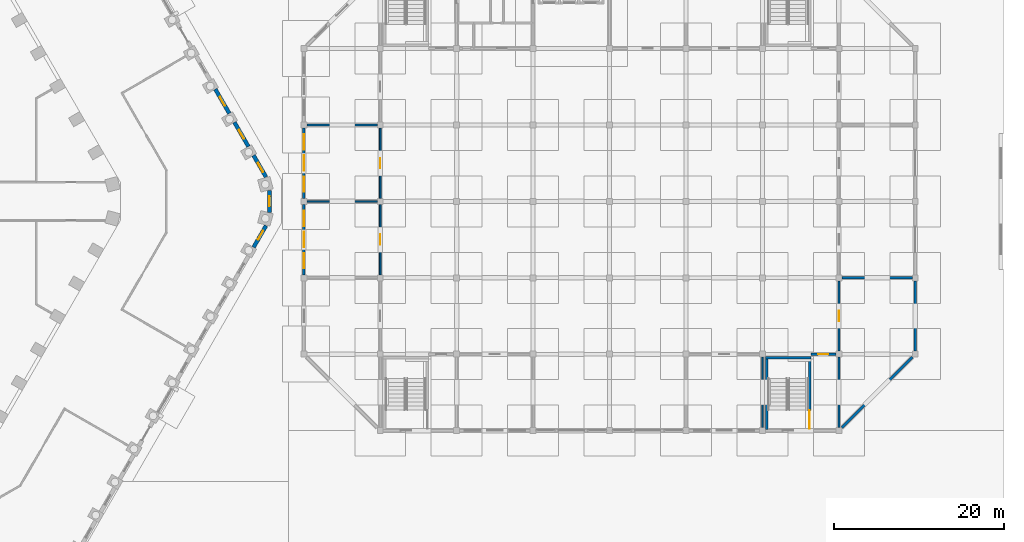
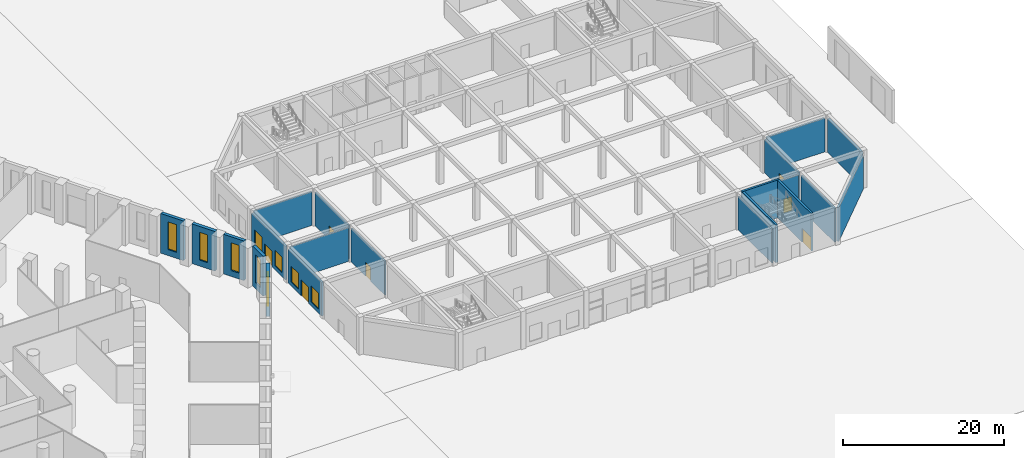
# One storey, part 25 of 44: 21 walls, 9 windows, 7 doors, 16 openings.
"""IFC4 building model written with IfcOpenShell, lengths in metres."""

import ifcopenshell
import ifcopenshell.guid

model = None  # the IFC model being written
_history = None  # IfcOwnerHistory: only IFC2X3 demands one
_inside = {}  # id of a spatial element -> (the spatial element, [elements in it])
_under = {}  # id of a project, library or spatial element -> (it, [spatial elements below it])
_declared = {}  # id of a project -> (the project, [libraries it declares])
_typed = {}  # id of a type object -> (the type object, [elements of that type])
_made_of = {}  # id of a material, layer set ... -> (it, [elements and type objects made of it])


def new_model(schema):
    """Start an empty IFC model of exactly this schema.

    Asked for "IFC4X3", IfcOpenShell would pick the latest addendum, in which some entities
    have other attributes; the version numbers below select the first issue.
    IFC2X3 requires an IfcOwnerHistory on every rooted entity: one is made here for all.
    """
    global model, _history
    if schema == "IFC4X3":
        model = ifcopenshell.file(schema_version=(4, 3, 0, 0))
    else:
        model = ifcopenshell.file(schema=schema)
    _inside.clear()
    _under.clear()
    _declared.clear()
    _typed.clear()
    _made_of.clear()
    _history = None
    if model.schema == "IFC2X3":
        org = make("IfcOrganization", Name="unknown")
        user = make(
            "IfcPersonAndOrganization",
            ThePerson=make("IfcPerson", FamilyName="unknown"),
            TheOrganization=org,
        )
        app = make(
            "IfcApplication",
            ApplicationDeveloper=org,
            Version="unknown",
            ApplicationFullName="unknown",
            ApplicationIdentifier="unknown",
        )
        _history = make(
            "IfcOwnerHistory",
            OwningUser=user,
            OwningApplication=app,
            ChangeAction="ADDED",
            CreationDate=0,
        )
    return model


def make(cls, **values):
    """One entity of the class cls with the attributes given. An attribute that is None is left unset."""
    return model.create_entity(
        cls, **{name: value for name, value in values.items() if value is not None}
    )


def rooted(cls, **values):
    """An entity with a GlobalId (a new one), such as an element, a storey or a relation."""
    return make(cls, GlobalId=ifcopenshell.guid.new(), OwnerHistory=_history, **values)


def si_unit(unit_type, name, prefix=None):
    """IfcSIUnit, for example si_unit("LENGTHUNIT", "METRE", prefix="MILLI")."""
    return make("IfcSIUnit", UnitType=unit_type, Prefix=prefix, Name=name)


def assignment(units):
    """IfcUnitAssignment: the units of a project."""
    return None if units is None else make("IfcUnitAssignment", Units=units)


def point(xyz):
    """IfcCartesianPoint."""
    return None if xyz is None else make("IfcCartesianPoint", Coordinates=xyz)


def direction(xyz):
    """IfcDirection."""
    return None if xyz is None else make("IfcDirection", DirectionRatios=xyz)


def frame(location, z_axis=None, x_axis=None):
    """IfcAxis2Placement3D, a coordinate frame: its origin and axes. An axis left out is left unset."""
    return make(
        "IfcAxis2Placement3D",
        Location=point(location),
        Axis=direction(z_axis),
        RefDirection=direction(x_axis),
    )


def frame_2d(location, x_axis=None):
    """IfcAxis2Placement2D, a coordinate frame in the plane: its origin and x axis."""
    return make(
        "IfcAxis2Placement2D", Location=point(location), RefDirection=direction(x_axis)
    )


def origin():
    """The frame at (0, 0, 0) with its axes left unset."""
    return frame((0.0, 0.0, 0.0))


def place(relative_to, where):
    """IfcLocalPlacement: puts the frame where relative to a parent placement (None: the world)."""
    return make(
        "IfcLocalPlacement", PlacementRelTo=relative_to, RelativePlacement=where
    )


def context(
    kind, dimensions, precision=None, world=None, true_north=None, identifier=None
):
    """IfcGeometricRepresentationContext, for example the 3D "Model" context."""
    return make(
        "IfcGeometricRepresentationContext",
        ContextIdentifier=identifier,
        ContextType=kind,
        CoordinateSpaceDimension=dimensions,
        Precision=precision,
        WorldCoordinateSystem=world,
        TrueNorth=true_north,
    )


def subcontext(parent, identifier, kind, view, scale=None):
    """IfcGeometricRepresentationSubContext, for example "Body" below "Model"."""
    return make(
        "IfcGeometricRepresentationSubContext",
        ContextIdentifier=identifier,
        ContextType=kind,
        ParentContext=parent,
        TargetScale=scale,
        TargetView=view,
    )


def project(units=None, contexts=None):
    """IfcProject with its units and contexts."""
    return rooted(
        "IfcProject",
        Name="project",
        RepresentationContexts=contexts,
        UnitsInContext=assignment(units),
    )


def spatial(cls, under=None, at=None, **own):
    """A site, building, storey or space (cls), placed at a placement, below another one or the project."""
    s = rooted(cls, ObjectPlacement=at, **own)
    if under is not None:
        _under.setdefault(under.id(), (under, []))[1].append(s)
    return s


def profile(cls, at=None, kind="AREA", **sizes):
    """A parametric profile (cls). Its sizes go by their IFC names, for example OverallWidth=200.0."""
    return make(cls, ProfileType=kind, Position=at, **sizes)


def rectangle(**sizes):
    """IfcRectangleProfileDef."""
    return profile("IfcRectangleProfileDef", **sizes)


def extrude(swept, where, along, depth):
    """IfcExtrudedAreaSolid: the profile swept, set in the frame where, extruded along a direction by depth."""
    return make(
        "IfcExtrudedAreaSolid",
        SweptArea=swept,
        Position=where,
        ExtrudedDirection=direction(along),
        Depth=depth,
    )


def shape(context_of_items, identifier, shape_type, items):
    """IfcShapeRepresentation: the items that make up one representation, for example the "Body"."""
    return make(
        "IfcShapeRepresentation",
        ContextOfItems=context_of_items,
        RepresentationIdentifier=identifier,
        RepresentationType=shape_type,
        Items=items,
    )


def material(Name=None, Category=None):
    """IfcMaterial."""
    return make("IfcMaterial", Name=Name, Category=Category)


def layer(
    of_material, thickness, ventilated=None, Name=None, Category=None, Priority=None
):
    """IfcMaterialLayer: one layer of a wall or slab, of a material (None: an air gap)."""
    return make(
        "IfcMaterialLayer",
        Material=of_material,
        LayerThickness=thickness,
        IsVentilated=ventilated,
        Name=Name,
        Category=Category,
        Priority=Priority,
    )


def layer_set(layers, Name=None):
    """IfcMaterialLayerSet."""
    return make("IfcMaterialLayerSet", MaterialLayers=layers, LayerSetName=Name)


def made_of(thing, what):
    """Note that an element or type object is made of a material, layer set ...; save() writes the relation."""
    if what is not None:
        _made_of.setdefault(what.id(), (what, []))[1].append(thing)
    return thing


def type_object(cls, material=None, **own):
    """A type object (cls), such as IfcWallType, which elements share."""
    return made_of(rooted(cls, **own), material)


def element(
    cls,
    number,
    at=None,
    inside=None,
    cuts=None,
    type_object=None,
    material=None,
    context=None,
    identifier="Body",
    shape_type=None,
    held_by="IfcProductDefinitionShape",
    body=None,
    shapes=None,
    **own,
):
    """One element of the class cls, such as IfcWall. Its Tag is "e" and its number.

    at: its placement. inside: the storey or other place that contains it. cuts: it is an
    opening in that element (IfcRelVoidsElement). A single representation is given by context,
    identifier, shape_type and body (its items); several are given by shapes. held_by: the class
    of the entity that holds the representations. save() writes the other relations.
    """
    e = rooted(cls, Tag="e%d" % number, ObjectPlacement=at, **own)
    if body is not None:
        shapes = [shape(context, identifier, shape_type, body)]
    if shapes is not None:
        e.Representation = make(held_by, Representations=shapes)
    if inside is not None:
        _inside.setdefault(inside.id(), (inside, []))[1].append(e)
    if cuts is not None:
        rooted(
            "IfcRelVoidsElement", RelatingBuildingElement=cuts, RelatedOpeningElement=e
        )
    if type_object is not None:
        _typed.setdefault(type_object.id(), (type_object, []))[1].append(e)
    return made_of(e, material)


def fill(opening, filler):
    """IfcRelFillsElement: the door or window that sits in an opening."""
    return rooted(
        "IfcRelFillsElement",
        RelatingOpeningElement=opening,
        RelatedBuildingElement=filler,
    )


def aggregate(whole, parts):
    """IfcRelAggregates: a whole, such as a stair, and the parts it consists of."""
    return rooted("IfcRelAggregates", RelatingObject=whole, RelatedObjects=parts)


def save(model, path):
    """Write the relations noted so far, then the file.

    IfcRelAggregates (storeys below a building ...), IfcRelContainedInSpatialStructure (elements
    in a storey), IfcRelDefinesByType, IfcRelAssociatesMaterial and IfcRelDeclares: one each for
    every whole, place, type object, material and project.
    """
    for whole, parts in _under.values():
        aggregate(whole, parts)
    for where, things in _inside.values():
        rooted(
            "IfcRelContainedInSpatialStructure",
            RelatedElements=things,
            RelatingStructure=where,
        )
    for kind, things in _typed.values():
        rooted("IfcRelDefinesByType", RelatedObjects=things, RelatingType=kind)
    for what, things in _made_of.values():
        rooted("IfcRelAssociatesMaterial", RelatedObjects=things, RelatingMaterial=what)
    for by, libraries in _declared.values():
        rooted("IfcRelDeclares", RelatingContext=by, RelatedDefinitions=libraries)
    model.write(path)


model = new_model("IFC4")

# Units and contexts
model_context = context("Model", 3, precision=1e-05, world=origin(), true_north=direction((0.0, 1.0)))
body_context = subcontext(model_context, "Body", "Model", "MODEL_VIEW")
ifc_project = project(units=[si_unit("LENGTHUNIT", "METRE"), si_unit("AREAUNIT", "SQUARE_METRE"), si_unit("VOLUMEUNIT", "CUBIC_METRE"), si_unit("PLANEANGLEUNIT", "RADIAN"), si_unit("MASSUNIT", "GRAM", prefix="KILO")], contexts=[model_context])

# Site, building, storey
site_placement = place(None, origin())
site = spatial("IfcSite", under=ifc_project, at=site_placement, CompositionType="ELEMENT")
building_placement = place(site_placement, origin())
building = spatial("IfcBuilding", under=site, at=building_placement, Name="Dhurran Vertical Campus", CompositionType="ELEMENT")
storey_placement = place(building_placement, origin())
storey = spatial("IfcBuildingStorey", under=building, at=storey_placement, Name="L00", CompositionType="ELEMENT", Elevation=0.0)

# Wall, opening, window
ifc_material_1 = material(Name="Precast concrete C50/60", Category="concrete")
ifc_layer_1 = layer(ifc_material_1, 0.449951171875)
ifc_layer_set_1 = layer_set([ifc_layer_1], Name="Precast concrete C50/60")
wall_type_1 = type_object("IfcWallType", Name="Precast base wall 450", PredefinedType="SOLIDWALL", material=ifc_layer_set_1)
wall_1_placement = place(storey_placement, frame((55.579345703125, -5.41455078125, 0.0), z_axis=(0.0, 0.0, 1.0), x_axis=(0.500030648271, 0.866007708274, 0.0)))
wall_1 = element("IfcWall", 1, at=wall_1_placement, inside=storey, type_object=wall_type_1, Name="EW2 L00.24", PredefinedType="SOLIDWALL", context=body_context, shape_type="SweptSolid", body=[
    extrude(rectangle(XDim=2.948486328125, YDim=0.449951171875, at=frame_2d((1.47412109375, 0.0))), origin(), (0.0, 0.0, 1.0), 6.0),
])
opening_1_placement = place(wall_1_placement, frame((1.049560546875, 0.0, 0.89990234375)))
opening_1 = element("IfcOpeningElement", 2, at=opening_1_placement, cuts=wall_1, Name="Opening WT5", PredefinedType="OPENING", context=body_context, shape_type="SweptSolid", body=[
    extrude(rectangle(XDim=1.199951171875, YDim=4.199951171875, at=frame_2d((0.60009765625, 2.10009765625))), frame((0.0, 0.23486328125, 0.0), z_axis=(0.0, -1.0, 0.0), x_axis=(1.0, 0.0, 0.0)), (0.0, 0.0, 1.0), 0.469970703125),
])
ifc_material_2 = material(Name="Aluminium frame with solar-control glass", Category="aluminium")
window_type_1 = type_object("IfcWindowType", Name="Ring slot window 1200 x 4200", PartitioningType="SINGLE_PANEL", PredefinedType="WINDOW", material=ifc_material_2)
window_1_placement = place(opening_1_placement, origin())
window_1 = element("IfcWindow", 3, at=window_1_placement, inside=storey, type_object=window_type_1, Name="WT5 L00.24", OverallHeight=4.199951171875, OverallWidth=1.199951171875, PartitioningType="SINGLE_PANEL", PredefinedType="WINDOW", context=body_context, shape_type="SweptSolid", body=[
    extrude(rectangle(XDim=1.199951171875, YDim=4.199951171875, at=frame_2d((0.60009765625, 2.10009765625))), frame((0.0, 0.030029296875, 0.0), z_axis=(0.0, -1.0, 0.0), x_axis=(1.0, 0.0, 0.0)), (0.0, 0.0, 1.0), 0.06005859375),
])
fill(opening_1, window_1)

wall_2_placement = place(storey_placement, frame((57.47216796875, -1.299072265625, 0.0), z_axis=(0.0, 0.0, 1.0), x_axis=(0.0, 1.0, 0.0)))
wall_2 = element("IfcWall", 4, at=wall_2_placement, inside=storey, type_object=wall_type_1, Name="EW2 L00.25", PredefinedType="SOLIDWALL", context=body_context, shape_type="SweptSolid", body=[
    extrude(rectangle(XDim=2.59814453125, YDim=0.449951171875, at=frame_2d((1.299072265625, 0.0))), origin(), (0.0, 0.0, 1.0), 6.0),
])
opening_2_placement = place(wall_2_placement, frame((0.69921875, 0.0, 0.89990234375)))
opening_2 = element("IfcOpeningElement", 5, at=opening_2_placement, cuts=wall_2, Name="Opening WT5", PredefinedType="OPENING", context=body_context, shape_type="SweptSolid", body=[
    extrude(rectangle(XDim=1.199951171875, YDim=4.199951171875, at=frame_2d((0.60009765625, 2.10009765625))), frame((0.0, 0.23486328125, 0.0), z_axis=(0.0, -1.0, 0.0), x_axis=(1.0, 0.0, 0.0)), (0.0, 0.0, 1.0), 0.469970703125),
])
window_2_placement = place(opening_2_placement, origin())
window_2 = element("IfcWindow", 6, at=window_2_placement, inside=storey, type_object=window_type_1, Name="WT5 L00.25", OverallHeight=4.199951171875, OverallWidth=1.199951171875, PartitioningType="SINGLE_PANEL", PredefinedType="WINDOW", context=body_context, shape_type="SweptSolid", body=[
    extrude(rectangle(XDim=1.199951171875, YDim=4.199951171875, at=frame_2d((0.60009765625, 2.10009765625))), frame((0.0, 0.030029296875, 0.0), z_axis=(0.0, -1.0, 0.0), x_axis=(1.0, 0.0, 0.0)), (0.0, 0.0, 1.0), 0.06005859375),
])
fill(opening_2, window_2)

wall_3_placement = place(storey_placement, frame((57.0537109375, 2.861083984375, 0.0), z_axis=(0.0, 0.0, 1.0), x_axis=(-0.500030648271, 0.866007708274, 0.0)))
wall_3 = element("IfcWall", 7, at=wall_3_placement, inside=storey, type_object=wall_type_1, Name="EW2 L00.26", PredefinedType="SOLIDWALL", context=body_context, shape_type="SweptSolid", body=[
    extrude(rectangle(XDim=2.948486328125, YDim=0.449951171875, at=frame_2d((1.47412109375, 0.0))), origin(), (0.0, 0.0, 1.0), 6.0),
])
opening_3_placement = place(wall_3_placement, frame((0.69921875, 0.0, 0.89990234375)))
opening_3 = element("IfcOpeningElement", 8, at=opening_3_placement, cuts=wall_3, Name="Opening WT5", PredefinedType="OPENING", context=body_context, shape_type="SweptSolid", body=[
    extrude(rectangle(XDim=1.199951171875, YDim=4.199951171875, at=frame_2d((0.60009765625, 2.10009765625))), frame((0.0, 0.23486328125, 0.0), z_axis=(0.0, -1.0, 0.0), x_axis=(1.0, 0.0, 0.0)), (0.0, 0.0, 1.0), 0.469970703125),
])
window_3_placement = place(opening_3_placement, origin())
window_3 = element("IfcWindow", 9, at=window_3_placement, inside=storey, type_object=window_type_1, Name="WT5 L00.26", OverallHeight=4.199951171875, OverallWidth=1.199951171875, PartitioningType="SINGLE_PANEL", PredefinedType="WINDOW", context=body_context, shape_type="SweptSolid", body=[
    extrude(rectangle(XDim=1.199951171875, YDim=4.199951171875, at=frame_2d((0.60009765625, 2.10009765625))), frame((0.0, 0.030029296875, 0.0), z_axis=(0.0, -1.0, 0.0), x_axis=(1.0, 0.0, 0.0)), (0.0, 0.0, 1.0), 0.06005859375),
])
fill(opening_3, window_3)

wall_4_placement = place(storey_placement, frame((54.978759765625, 6.45458984375, 0.0), z_axis=(0.0, 0.0, 1.0), x_axis=(-0.49995947208, 0.866048801325, 0.0)))
wall_4 = element("IfcWall", 10, at=wall_4_placement, inside=storey, type_object=wall_type_1, Name="EW2 L00.27", PredefinedType="SOLIDWALL", context=body_context, shape_type="SweptSolid", body=[
    extrude(rectangle(XDim=3.299072265625, YDim=0.449951171875, at=frame_2d((1.6494140625, 0.0))), origin(), (0.0, 0.0, 1.0), 6.0),
])
opening_4_placement = place(wall_4_placement, frame((1.049560546875, 0.0, 0.89990234375)))
opening_4 = element("IfcOpeningElement", 11, at=opening_4_placement, cuts=wall_4, Name="Opening WT5", PredefinedType="OPENING", context=body_context, shape_type="SweptSolid", body=[
    extrude(rectangle(XDim=1.199951171875, YDim=4.199951171875, at=frame_2d((0.60009765625, 2.10009765625))), frame((0.0, 0.23486328125, 0.0), z_axis=(0.0, -1.0, 0.0), x_axis=(1.0, 0.0, 0.0)), (0.0, 0.0, 1.0), 0.469970703125),
])
window_4_placement = place(opening_4_placement, origin())
window_4 = element("IfcWindow", 12, at=window_4_placement, inside=storey, type_object=window_type_1, Name="WT5 L00.27", OverallHeight=4.199951171875, OverallWidth=1.199951171875, PartitioningType="SINGLE_PANEL", PredefinedType="WINDOW", context=body_context, shape_type="SweptSolid", body=[
    extrude(rectangle(XDim=1.199951171875, YDim=4.199951171875, at=frame_2d((0.60009765625, 2.10009765625))), frame((0.0, 0.030029296875, 0.0), z_axis=(0.0, -1.0, 0.0), x_axis=(1.0, 0.0, 0.0)), (0.0, 0.0, 1.0), 0.06005859375),
])
fill(opening_4, window_4)

wall_5_placement = place(storey_placement, frame((52.728759765625, 10.351806640625, 0.0), z_axis=(0.0, 0.0, 1.0), x_axis=(-0.499991515992, 0.866030301974, 0.0)))
wall_5 = element("IfcWall", 13, at=wall_5_placement, inside=storey, type_object=wall_type_1, Name="EW2 L00.28", PredefinedType="SOLIDWALL", context=body_context, shape_type="SweptSolid", body=[
    extrude(rectangle(XDim=3.298828125, YDim=0.449951171875, at=frame_2d((1.6494140625, 0.0))), origin(), (0.0, 0.0, 1.0), 6.0),
])
opening_5_placement = place(wall_5_placement, frame((1.049560546875, 0.0, 0.89990234375)))
opening_5 = element("IfcOpeningElement", 14, at=opening_5_placement, cuts=wall_5, Name="Opening WT5", PredefinedType="OPENING", context=body_context, shape_type="SweptSolid", body=[
    extrude(rectangle(XDim=1.199951171875, YDim=4.199951171875, at=frame_2d((0.60009765625, 2.10009765625))), frame((0.0, 0.23486328125, 0.0), z_axis=(0.0, -1.0, 0.0), x_axis=(1.0, 0.0, 0.0)), (0.0, 0.0, 1.0), 0.469970703125),
])
window_5_placement = place(opening_5_placement, origin())
window_5 = element("IfcWindow", 15, at=window_5_placement, inside=storey, type_object=window_type_1, Name="WT5 L00.28", OverallHeight=4.199951171875, OverallWidth=1.199951171875, PartitioningType="SINGLE_PANEL", PredefinedType="WINDOW", context=body_context, shape_type="SweptSolid", body=[
    extrude(rectangle(XDim=1.199951171875, YDim=4.199951171875, at=frame_2d((0.60009765625, 2.10009765625))), frame((0.0, 0.030029296875, 0.0), z_axis=(0.0, -1.0, 0.0), x_axis=(1.0, 0.0, 0.0)), (0.0, 0.0, 1.0), 0.06005859375),
])
fill(opening_5, window_5)

# Walls
ifc_material_3 = material(Name="Precast concrete C40/50", Category="concrete")
ifc_layer_2 = layer(ifc_material_3, 0.300048828125)
ifc_layer_set_2 = layer_set([ifc_layer_2], Name="Precast concrete C40/50")
wall_type_2 = type_object("IfcWallType", Name="hl-external wall precast 300", PredefinedType="SOLIDWALL", material=ifc_layer_set_2)
wall_6_placement = place(storey_placement, frame((124.85009765625, -26.64990234375, 0.0), z_axis=(0.0, 0.0, 1.0), x_axis=(0.707106781187, 0.707106781187, 0.0)))
element("IfcWall", 16, at=wall_6_placement, inside=storey, type_object=wall_type_2, Name="Hall external wall L00-016", PredefinedType="SOLIDWALL", context=body_context, shape_type="SweptSolid", body=[
    extrude(rectangle(XDim=11.73779296875, YDim=0.300048828125, at=frame_2d((5.868896484375, 0.0))), origin(), (0.0, 0.0, 1.0), 5.10009765625),
])
wall_7_placement = place(storey_placement, frame((133.5, -17.64990234375, 0.0), z_axis=(0.0, 0.0, 1.0), x_axis=(0.0, 1.0, 0.0)))
element("IfcWall", 17, at=wall_7_placement, inside=storey, type_object=wall_type_2, Name="Hall external wall L00-018", PredefinedType="SOLIDWALL", context=body_context, shape_type="SweptSolid", body=[
    extrude(rectangle(XDim=8.2998046875, YDim=0.300048828125, at=frame_2d((4.14990234375, 0.0))), origin(), (0.0, 0.0, 1.0), 5.10009765625),
])

# Wall, openings, door, windows
wall_8_placement = place(storey_placement, frame((61.5, 8.64990234375, 0.0), z_axis=(0.0, 0.0, 1.0), x_axis=(0.0, -1.0, 0.0)))
wall_8 = element("IfcWall", 18, at=wall_8_placement, inside=storey, type_object=wall_type_2, Name="Hall external wall L00-044", PredefinedType="SOLIDWALL", context=body_context, shape_type="SweptSolid", body=[
    extrude(rectangle(XDim=8.2998046875, YDim=0.300048828125, at=frame_2d((4.14990234375, 0.0))), origin(), (0.0, 0.0, 1.0), 5.10009765625),
])
opening_6_placement = place(wall_8_placement, frame((0.760009765625, 0.0, 0.60009765625)))
opening_6 = element("IfcOpeningElement", 19, at=opening_6_placement, cuts=wall_8, Name="Opening HWN2", PredefinedType="OPENING", context=body_context, shape_type="SweptSolid", body=[
    extrude(rectangle(XDim=1.800048828125, YDim=2.39990234375, at=frame_2d((0.89990234375, 1.199951171875))), frame((0.0, 0.159912109375, 0.0), z_axis=(0.0, -1.0, 0.0), x_axis=(1.0, 0.0, 0.0)), (0.0, 0.0, 1.0), 0.320068359375),
])
opening_7_placement = place(wall_8_placement, frame((3.25, 0.0, 0.0)))
opening_7 = element("IfcOpeningElement", 20, at=opening_7_placement, cuts=wall_8, Name="Opening HDE14", PredefinedType="OPENING", context=body_context, shape_type="SweptSolid", body=[
    extrude(rectangle(XDim=1.800048828125, YDim=2.39990234375, at=frame_2d((0.89990234375, 1.199951171875))), frame((0.0, 0.159912109375, 0.0), z_axis=(0.0, -1.0, 0.0), x_axis=(1.0, 0.0, 0.0)), (0.0, 0.0, 1.0), 0.320068359375),
])
opening_8_placement = place(wall_8_placement, frame((5.739990234375, 0.0, 0.60009765625)))
opening_8 = element("IfcOpeningElement", 21, at=opening_8_placement, cuts=wall_8, Name="Opening HWN2", PredefinedType="OPENING", context=body_context, shape_type="SweptSolid", body=[
    extrude(rectangle(XDim=1.800048828125, YDim=2.39990234375, at=frame_2d((0.89990234375, 1.199951171875))), frame((0.0, 0.159912109375, 0.0), z_axis=(0.0, -1.0, 0.0), x_axis=(1.0, 0.0, 0.0)), (0.0, 0.0, 1.0), 0.320068359375),
])
ifc_material_4 = material(Name="Aluminium", Category="aluminium")
door_type_1 = type_object("IfcDoorType", Name="hl-shop door double 1800x2400", OperationType="NOTDEFINED", PredefinedType="DOOR", material=ifc_material_4)
door_1_placement = place(opening_7_placement, origin())
door_1 = element("IfcDoor", 22, at=door_1_placement, inside=storey, type_object=door_type_1, Name="Door HDE14", OperationType="DOUBLE_DOOR_SINGLE_SWING", OverallHeight=2.39990234375, OverallWidth=1.800048828125, PredefinedType="DOOR", context=body_context, shape_type="SweptSolid", body=[
    extrude(rectangle(XDim=1.800048828125, YDim=2.39990234375, at=frame_2d((0.89990234375, 1.199951171875))), frame((0.0, 0.02490234375, 0.0), z_axis=(0.0, -1.0, 0.0), x_axis=(1.0, 0.0, 0.0)), (0.0, 0.0, 1.0), 0.050048828125),
])
fill(opening_7, door_1)
ifc_material_5 = material(Name="Aluminium", Category="aluminium")
window_type_2 = type_object("IfcWindowType", Name="hl-shop window 1800x2400", PartitioningType="SINGLE_PANEL", PredefinedType="WINDOW", material=ifc_material_5)
window_6_placement = place(opening_6_placement, origin())
window_6 = element("IfcWindow", 23, at=window_6_placement, inside=storey, type_object=window_type_2, Name="Hall window L00-009", OverallHeight=2.39990234375, OverallWidth=1.800048828125, PartitioningType="SINGLE_PANEL", PredefinedType="WINDOW", context=body_context, shape_type="SweptSolid", body=[
    extrude(rectangle(XDim=1.800048828125, YDim=2.39990234375, at=frame_2d((0.89990234375, 1.199951171875))), frame((0.0, 0.030029296875, 0.0), z_axis=(0.0, -1.0, 0.0), x_axis=(1.0, 0.0, 0.0)), (0.0, 0.0, 1.0), 0.06005859375),
])
fill(opening_6, window_6)
window_7_placement = place(opening_8_placement, origin())
window_7 = element("IfcWindow", 24, at=window_7_placement, inside=storey, type_object=window_type_2, Name="Hall window L00-010", OverallHeight=2.39990234375, OverallWidth=1.800048828125, PartitioningType="SINGLE_PANEL", PredefinedType="WINDOW", context=body_context, shape_type="SweptSolid", body=[
    extrude(rectangle(XDim=1.800048828125, YDim=2.39990234375, at=frame_2d((0.89990234375, 1.199951171875))), frame((0.0, 0.030029296875, 0.0), z_axis=(0.0, -1.0, 0.0), x_axis=(1.0, 0.0, 0.0)), (0.0, 0.0, 1.0), 0.06005859375),
])
fill(opening_8, window_7)

wall_9_placement = place(storey_placement, frame((61.5, -0.35009765625, 0.0), z_axis=(0.0, 0.0, 1.0), x_axis=(0.0, -1.0, 0.0)))
wall_9 = element("IfcWall", 25, at=wall_9_placement, inside=storey, type_object=wall_type_2, Name="Hall external wall L00-046", PredefinedType="SOLIDWALL", context=body_context, shape_type="SweptSolid", body=[
    extrude(rectangle(XDim=8.2998046875, YDim=0.300048828125, at=frame_2d((4.14990234375, 0.0))), origin(), (0.0, 0.0, 1.0), 5.10009765625),
])
opening_9_placement = place(wall_9_placement, frame((0.760009765625, 0.0, 0.60009765625)))
opening_9 = element("IfcOpeningElement", 26, at=opening_9_placement, cuts=wall_9, Name="Opening HWN2", PredefinedType="OPENING", context=body_context, shape_type="SweptSolid", body=[
    extrude(rectangle(XDim=1.800048828125, YDim=2.39990234375, at=frame_2d((0.89990234375, 1.199951171875))), frame((0.0, 0.159912109375, 0.0), z_axis=(0.0, -1.0, 0.0), x_axis=(1.0, 0.0, 0.0)), (0.0, 0.0, 1.0), 0.320068359375),
])
opening_10_placement = place(wall_9_placement, frame((3.25, 0.0, 0.0)))
opening_10 = element("IfcOpeningElement", 27, at=opening_10_placement, cuts=wall_9, Name="Opening HDE15", PredefinedType="OPENING", context=body_context, shape_type="SweptSolid", body=[
    extrude(rectangle(XDim=1.800048828125, YDim=2.39990234375, at=frame_2d((0.89990234375, 1.199951171875))), frame((0.0, 0.159912109375, 0.0), z_axis=(0.0, -1.0, 0.0), x_axis=(1.0, 0.0, 0.0)), (0.0, 0.0, 1.0), 0.320068359375),
])
opening_11_placement = place(wall_9_placement, frame((5.739990234375, 0.0, 0.60009765625)))
opening_11 = element("IfcOpeningElement", 28, at=opening_11_placement, cuts=wall_9, Name="Opening HWN2", PredefinedType="OPENING", context=body_context, shape_type="SweptSolid", body=[
    extrude(rectangle(XDim=1.800048828125, YDim=2.39990234375, at=frame_2d((0.89990234375, 1.199951171875))), frame((0.0, 0.159912109375, 0.0), z_axis=(0.0, -1.0, 0.0), x_axis=(1.0, 0.0, 0.0)), (0.0, 0.0, 1.0), 0.320068359375),
])
door_2_placement = place(opening_10_placement, origin())
door_2 = element("IfcDoor", 29, at=door_2_placement, inside=storey, type_object=door_type_1, Name="Door HDE15", OperationType="DOUBLE_DOOR_SINGLE_SWING", OverallHeight=2.39990234375, OverallWidth=1.800048828125, PredefinedType="DOOR", context=body_context, shape_type="SweptSolid", body=[
    extrude(rectangle(XDim=1.800048828125, YDim=2.39990234375, at=frame_2d((0.89990234375, 1.199951171875))), frame((0.0, 0.02490234375, 0.0), z_axis=(0.0, -1.0, 0.0), x_axis=(1.0, 0.0, 0.0)), (0.0, 0.0, 1.0), 0.050048828125),
])
fill(opening_10, door_2)
window_8_placement = place(opening_9_placement, origin())
window_8 = element("IfcWindow", 30, at=window_8_placement, inside=storey, type_object=window_type_2, Name="Hall window L00-011", OverallHeight=2.39990234375, OverallWidth=1.800048828125, PartitioningType="SINGLE_PANEL", PredefinedType="WINDOW", context=body_context, shape_type="SweptSolid", body=[
    extrude(rectangle(XDim=1.800048828125, YDim=2.39990234375, at=frame_2d((0.89990234375, 1.199951171875))), frame((0.0, 0.030029296875, 0.0), z_axis=(0.0, -1.0, 0.0), x_axis=(1.0, 0.0, 0.0)), (0.0, 0.0, 1.0), 0.06005859375),
])
fill(opening_9, window_8)
window_9_placement = place(opening_11_placement, origin())
window_9 = element("IfcWindow", 31, at=window_9_placement, inside=storey, type_object=window_type_2, Name="Hall window L00-012", OverallHeight=2.39990234375, OverallWidth=1.800048828125, PartitioningType="SINGLE_PANEL", PredefinedType="WINDOW", context=body_context, shape_type="SweptSolid", body=[
    extrude(rectangle(XDim=1.800048828125, YDim=2.39990234375, at=frame_2d((0.89990234375, 1.199951171875))), frame((0.0, 0.030029296875, 0.0), z_axis=(0.0, -1.0, 0.0), x_axis=(1.0, 0.0, 0.0)), (0.0, 0.0, 1.0), 0.06005859375),
])
fill(opening_11, window_9)

# Walls
ifc_material_6 = material(Name="Masonry blockwork", Category="masonry")
ifc_layer_3 = layer(ifc_material_6, 0.199951171875)
ifc_layer_set_3 = layer_set([ifc_layer_3], Name="Masonry blockwork")
wall_type_3 = type_object("IfcWallType", Name="hl-partition blockwork 200 EI 60", PredefinedType="PARTITIONING", material=ifc_layer_set_3)
for number, where, z_axis, x_axis, name in (
    (32, (61.85009765625, 0.0, 0.0), (0.0, 0.0, 1.0), (1.0, 0.0, 0.0), "Hall partition L00-002"),
    (33, (61.85009765625, 9.0, 0.0), (0.0, 0.0, 1.0), (1.0, 0.0, 0.0), "Hall partition L00-003"),
):
    element("IfcWall", number, at=place(storey_placement, frame(where, z_axis=z_axis, x_axis=x_axis)), inside=storey, type_object=wall_type_3, Name=name, PredefinedType="PARTITIONING", context=body_context, shape_type="SweptSolid", body=[
        extrude(rectangle(XDim=8.2998046875, YDim=0.199951171875, at=frame_2d((4.14990234375, 0.0))), origin(), (0.0, 0.0, 1.0), 5.10009765625),
    ])

# Wall, opening, door
wall_10_placement = place(storey_placement, frame((70.5, -8.64990234375, 0.0), z_axis=(0.0, 0.0, 1.0), x_axis=(0.0, 1.0, 0.0)))
wall_10 = element("IfcWall", 34, at=wall_10_placement, inside=storey, type_object=wall_type_3, Name="Hall partition L00-006", PredefinedType="PARTITIONING", context=body_context, shape_type="SweptSolid", body=[
    extrude(rectangle(XDim=8.2998046875, YDim=0.199951171875, at=frame_2d((4.14990234375, 0.0))), origin(), (0.0, 0.0, 1.0), 5.10009765625),
])
opening_12_placement = place(wall_10_placement, frame((3.550048828125, 0.0, 0.0)))
opening_12 = element("IfcOpeningElement", 35, at=opening_12_placement, cuts=wall_10, Name="Opening HD008", PredefinedType="OPENING", context=body_context, shape_type="SweptSolid", body=[
    extrude(rectangle(XDim=1.199951171875, YDim=2.10009765625, at=frame_2d((0.60009765625, 1.050048828125))), frame((0.0, 0.10986328125, 0.0), z_axis=(0.0, -1.0, 0.0), x_axis=(1.0, 0.0, 0.0)), (0.0, 0.0, 1.0), 0.219970703125),
])
ifc_material_7 = material(Name="Fire-rated steel door set", Category="steel")
door_type_2 = type_object("IfcDoorType", Name="hl-door 1200x2100 single FD30S", OperationType="NOTDEFINED", PredefinedType="DOOR", material=ifc_material_7)
door_3_placement = place(opening_12_placement, origin())
door_3 = element("IfcDoor", 36, at=door_3_placement, inside=storey, type_object=door_type_2, Name="Door HD008", OperationType="SINGLE_SWING_RIGHT", OverallHeight=2.10009765625, OverallWidth=1.199951171875, PredefinedType="DOOR", context=body_context, shape_type="SweptSolid", body=[
    extrude(rectangle(XDim=1.199951171875, YDim=2.10009765625, at=frame_2d((0.60009765625, 1.050048828125))), frame((0.0, 0.02490234375, 0.0), z_axis=(0.0, -1.0, 0.0), x_axis=(1.0, 0.0, 0.0)), (0.0, 0.0, 1.0), 0.050048828125),
])
fill(opening_12, door_3)

wall_11_placement = place(storey_placement, frame((70.5, 0.35009765625, 0.0), z_axis=(0.0, 0.0, 1.0), x_axis=(0.0, 1.0, 0.0)))
wall_11 = element("IfcWall", 37, at=wall_11_placement, inside=storey, type_object=wall_type_3, Name="Hall partition L00-007", PredefinedType="PARTITIONING", context=body_context, shape_type="SweptSolid", body=[
    extrude(rectangle(XDim=8.2998046875, YDim=0.199951171875, at=frame_2d((4.14990234375, 0.0))), origin(), (0.0, 0.0, 1.0), 5.10009765625),
])
opening_13_placement = place(wall_11_placement, frame((3.550048828125, 0.0, 0.0)))
opening_13 = element("IfcOpeningElement", 38, at=opening_13_placement, cuts=wall_11, Name="Opening HD009", PredefinedType="OPENING", context=body_context, shape_type="SweptSolid", body=[
    extrude(rectangle(XDim=1.199951171875, YDim=2.10009765625, at=frame_2d((0.60009765625, 1.050048828125))), frame((0.0, 0.10986328125, 0.0), z_axis=(0.0, -1.0, 0.0), x_axis=(1.0, 0.0, 0.0)), (0.0, 0.0, 1.0), 0.219970703125),
])
door_4_placement = place(opening_13_placement, origin())
door_4 = element("IfcDoor", 39, at=door_4_placement, inside=storey, type_object=door_type_2, Name="Door HD009", OperationType="SINGLE_SWING_LEFT", OverallHeight=2.10009765625, OverallWidth=1.199951171875, PredefinedType="DOOR", context=body_context, shape_type="SweptSolid", body=[
    extrude(rectangle(XDim=1.199951171875, YDim=2.10009765625, at=frame_2d((0.60009765625, 1.050048828125))), frame((0.0, 0.02490234375, 0.0), z_axis=(0.0, -1.0, 0.0), x_axis=(1.0, 0.0, 0.0)), (0.0, 0.0, 1.0), 0.050048828125),
])
fill(opening_13, door_4)

# Wall
wall_12_placement = place(storey_placement, frame((115.5, -26.64990234375, 0.0), z_axis=(0.0, 0.0, 1.0), x_axis=(0.0, 1.0, 0.0)))
element("IfcWall", 40, at=wall_12_placement, inside=storey, type_object=wall_type_3, Name="Hall partition L00-034", PredefinedType="PARTITIONING", context=body_context, shape_type="SweptSolid", body=[
    extrude(rectangle(XDim=8.2998046875, YDim=0.199951171875, at=frame_2d((4.14990234375, 0.0))), origin(), (0.0, 0.0, 1.0), 5.10009765625),
])

# Wall, opening, door
ifc_material_8 = material(Name="Masonry blockwork", Category="masonry")
ifc_layer_4 = layer(ifc_material_8, 0.25)
ifc_layer_set_4 = layer_set([ifc_layer_4], Name="Masonry blockwork")
wall_type_4 = type_object("IfcWallType", Name="hl-partition blockwork 250 EI 120", PredefinedType="PARTITIONING", material=ifc_layer_set_4)
wall_13_placement = place(storey_placement, frame((121.199951171875, -18.0, 0.0), z_axis=(0.0, 0.0, 1.0), x_axis=(1.0, 0.0, 0.0)))
wall_13 = element("IfcWall", 41, at=wall_13_placement, inside=storey, type_object=wall_type_4, Name="Hall partition L00-036", PredefinedType="PARTITIONING", context=body_context, shape_type="SweptSolid", body=[
    extrude(rectangle(XDim=2.949951171875, YDim=0.25, at=frame_2d((1.47509765625, 0.0))), origin(), (0.0, 0.0, 1.0), 5.10009765625),
])
opening_14_placement = place(wall_13_placement, frame((0.875, 0.0, 0.0)))
opening_14 = element("IfcOpeningElement", 42, at=opening_14_placement, cuts=wall_13, Name="Opening HD002", PredefinedType="OPENING", context=body_context, shape_type="SweptSolid", body=[
    extrude(rectangle(XDim=1.199951171875, YDim=2.10009765625, at=frame_2d((0.60009765625, 1.050048828125))), frame((0.0, 0.135009765625, 0.0), z_axis=(0.0, -1.0, 0.0), x_axis=(1.0, 0.0, 0.0)), (0.0, 0.0, 1.0), 0.27001953125),
])
ifc_material_9 = material(Name="Fire-rated steel door set", Category="steel")
door_type_3 = type_object("IfcDoorType", Name="hl-door 1200x2100 single FD90", OperationType="NOTDEFINED", PredefinedType="DOOR", material=ifc_material_9)
door_5_placement = place(opening_14_placement, origin())
door_5 = element("IfcDoor", 43, at=door_5_placement, inside=storey, type_object=door_type_3, Name="Door HD002", OperationType="SINGLE_SWING_RIGHT", OverallHeight=2.10009765625, OverallWidth=1.199951171875, PredefinedType="DOOR", context=body_context, shape_type="SweptSolid", body=[
    extrude(rectangle(XDim=1.199951171875, YDim=2.10009765625, at=frame_2d((0.60009765625, 1.050048828125))), frame((0.0, 0.02490234375, 0.0), z_axis=(0.0, -1.0, 0.0), x_axis=(1.0, 0.0, 0.0)), (0.0, 0.0, 1.0), 0.050048828125),
])
fill(opening_14, door_5)

# Wall
wall_14_placement = place(storey_placement, frame((124.5, -26.64990234375, 0.0), z_axis=(0.0, 0.0, 1.0), x_axis=(0.0, 1.0, 0.0)))
element("IfcWall", 44, at=wall_14_placement, inside=storey, type_object=wall_type_4, Name="Hall partition L00-038", PredefinedType="PARTITIONING", context=body_context, shape_type="SweptSolid", body=[
    extrude(rectangle(XDim=8.2998046875, YDim=0.25, at=frame_2d((4.14990234375, 0.0))), origin(), (0.0, 0.0, 1.0), 5.10009765625),
])

# Wall, opening, door
wall_15_placement = place(storey_placement, frame((124.5, -17.64990234375, 0.0), z_axis=(0.0, 0.0, 1.0), x_axis=(0.0, 1.0, 0.0)))
wall_15 = element("IfcWall", 45, at=wall_15_placement, inside=storey, type_object=wall_type_4, Name="Hall partition L00-039", PredefinedType="PARTITIONING", context=body_context, shape_type="SweptSolid", body=[
    extrude(rectangle(XDim=8.2998046875, YDim=0.25, at=frame_2d((4.14990234375, 0.0))), origin(), (0.0, 0.0, 1.0), 5.10009765625),
])
opening_15_placement = place(wall_15_placement, frame((3.550048828125, 0.0, 0.0)))
opening_15 = element("IfcOpeningElement", 46, at=opening_15_placement, cuts=wall_15, Name="Opening HD018", PredefinedType="OPENING", context=body_context, shape_type="SweptSolid", body=[
    extrude(rectangle(XDim=1.199951171875, YDim=2.10009765625, at=frame_2d((0.60009765625, 1.050048828125))), frame((0.0, 0.135009765625, 0.0), z_axis=(0.0, -1.0, 0.0), x_axis=(1.0, 0.0, 0.0)), (0.0, 0.0, 1.0), 0.27001953125),
])
ifc_material_10 = material(Name="Fire-rated steel door set", Category="steel")
door_type_4 = type_object("IfcDoorType", Name="hl-door 1200x2100 single FD60", OperationType="NOTDEFINED", PredefinedType="DOOR", material=ifc_material_10)
door_6_placement = place(opening_15_placement, origin())
door_6 = element("IfcDoor", 47, at=door_6_placement, inside=storey, type_object=door_type_4, Name="Door HD018", OperationType="SINGLE_SWING_RIGHT", OverallHeight=2.10009765625, OverallWidth=1.199951171875, PredefinedType="DOOR", context=body_context, shape_type="SweptSolid", body=[
    extrude(rectangle(XDim=1.199951171875, YDim=2.10009765625, at=frame_2d((0.60009765625, 1.050048828125))), frame((0.0, 0.02490234375, 0.0), z_axis=(0.0, -1.0, 0.0), x_axis=(1.0, 0.0, 0.0)), (0.0, 0.0, 1.0), 0.050048828125),
])
fill(opening_15, door_6)

# Walls
wall_16_placement = place(storey_placement, frame((124.85009765625, -9.0, 0.0), z_axis=(0.0, 0.0, 1.0), x_axis=(1.0, 0.0, 0.0)))
element("IfcWall", 48, at=wall_16_placement, inside=storey, type_object=wall_type_4, Name="Hall partition L00-042", PredefinedType="PARTITIONING", context=body_context, shape_type="SweptSolid", body=[
    extrude(rectangle(XDim=8.2998046875, YDim=0.25, at=frame_2d((4.14990234375, 0.0))), origin(), (0.0, 0.0, 1.0), 5.10009765625),
])
ifc_material_11 = material(Name="Concrete C40/50", Category="concrete")
ifc_layer_5 = layer(ifc_material_11, 0.300048828125)
ifc_layer_set_5 = layer_set([ifc_layer_5], Name="Concrete C40/50")
wall_type_5 = type_object("IfcWallType", Name="hl-stair shaft wall 300", PredefinedType="SHEAR", material=ifc_layer_set_5)
wall_17_placement = place(storey_placement, frame((116.0, -26.85009765625, 0.0), z_axis=(0.0, 0.0, 1.0), x_axis=(0.0, 1.0, 0.0)))
element("IfcWall", 49, at=wall_17_placement, inside=storey, type_object=wall_type_5, Name="Stair shaft wall HST4 W L00", PredefinedType="SHEAR", context=body_context, shape_type="SweptSolid", body=[
    extrude(rectangle(XDim=8.300048828125, YDim=0.300048828125, at=frame_2d((4.14990234375, 0.0))), origin(), (0.0, 0.0, 1.0), 5.719970703125),
])

# Wall, opening, door
wall_18_placement = place(storey_placement, frame((121.050048828125, -26.85009765625, 0.0), z_axis=(0.0, 0.0, 1.0), x_axis=(0.0, 1.0, 0.0)))
wall_18 = element("IfcWall", 50, at=wall_18_placement, inside=storey, type_object=wall_type_5, Name="Stair shaft wall HST4 E L00", PredefinedType="SHEAR", context=body_context, shape_type="SweptSolid", body=[
    extrude(rectangle(XDim=8.300048828125, YDim=0.300048828125, at=frame_2d((4.14990234375, 0.0))), origin(), (0.0, 0.0, 1.0), 5.719970703125),
])
opening_16_placement = place(wall_18_placement, frame((0.050048828125, 0.0, 0.0)))
opening_16 = element("IfcOpeningElement", 51, at=opening_16_placement, cuts=wall_18, Name="Opening HDS04", PredefinedType="OPENING", context=body_context, shape_type="SweptSolid", body=[
    extrude(rectangle(XDim=2.199951171875, YDim=2.10009765625, at=frame_2d((1.10009765625, 1.050048828125))), frame((0.0, 0.159912109375, 0.0), z_axis=(0.0, -1.0, 0.0), x_axis=(1.0, 0.0, 0.0)), (0.0, 0.0, 1.0), 0.320068359375),
])
ifc_material_12 = material(Name="Fire-rated steel door set", Category="steel")
door_type_5 = type_object("IfcDoorType", Name="hl-door 2200x2100 double FD90", OperationType="NOTDEFINED", PredefinedType="DOOR", material=ifc_material_12)
door_7_placement = place(opening_16_placement, origin())
door_7 = element("IfcDoor", 52, at=door_7_placement, inside=storey, type_object=door_type_5, Name="Door HDS04", OperationType="DOUBLE_DOOR_SINGLE_SWING", OverallHeight=2.10009765625, OverallWidth=2.199951171875, PredefinedType="DOOR", context=body_context, shape_type="SweptSolid", body=[
    extrude(rectangle(XDim=2.199951171875, YDim=2.10009765625, at=frame_2d((1.10009765625, 1.050048828125))), frame((0.0, 0.02490234375, 0.0), z_axis=(0.0, -1.0, 0.0), x_axis=(1.0, 0.0, 0.0)), (0.0, 0.0, 1.0), 0.050048828125),
])
fill(opening_16, door_7)

# Wall
wall_19_placement = place(storey_placement, frame((115.85009765625, -18.39990234375, 0.0), z_axis=(0.0, 0.0, 1.0), x_axis=(1.0, 0.0, 0.0)))
element("IfcWall", 53, at=wall_19_placement, inside=storey, type_object=wall_type_5, Name="Stair shaft wall HST4 F L00", PredefinedType="SHEAR", context=body_context, shape_type="SweptSolid", body=[
    extrude(rectangle(XDim=5.349853515625, YDim=0.300048828125, at=frame_2d((2.6748046875, 0.0))), origin(), (0.0, 0.0, 1.0), 5.719970703125),
])

save(model, "model.ifc")
